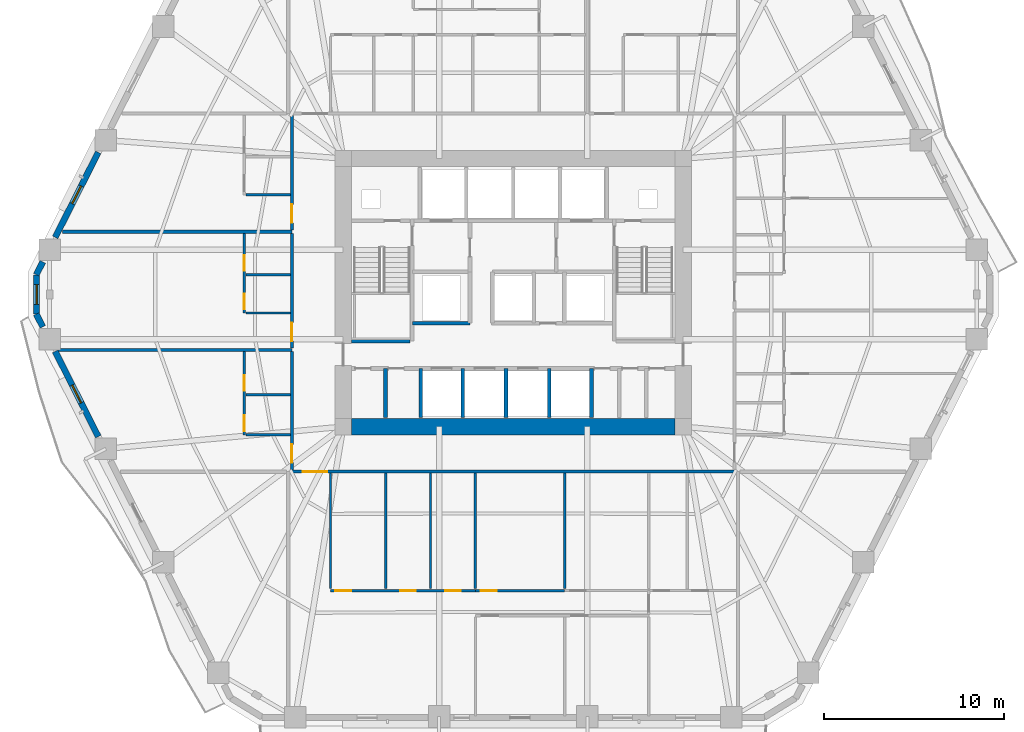
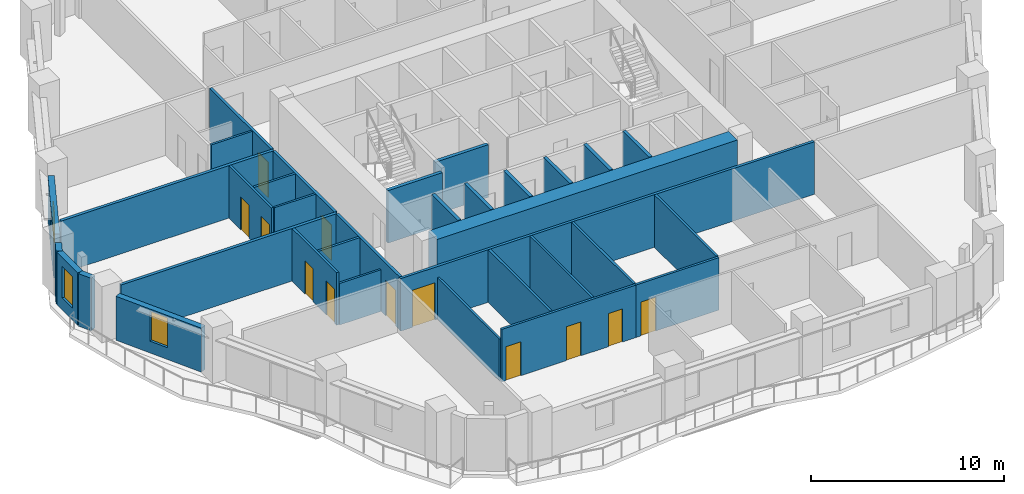
# One storey, part 4 of 14: 34 walls, 12 doors, 3 windows, 15 openings.
"""IFC4 building model written with IfcOpenShell, lengths in metres."""

import ifcopenshell
import ifcopenshell.guid

model = None  # the IFC model being written
_history = None  # IfcOwnerHistory: only IFC2X3 demands one
_inside = {}  # id of a spatial element -> (the spatial element, [elements in it])
_under = {}  # id of a project, library or spatial element -> (it, [spatial elements below it])
_declared = {}  # id of a project -> (the project, [libraries it declares])
_typed = {}  # id of a type object -> (the type object, [elements of that type])
_made_of = {}  # id of a material, layer set ... -> (it, [elements and type objects made of it])


def new_model(schema):
    """Start an empty IFC model of exactly this schema.

    Asked for "IFC4X3", IfcOpenShell would pick the latest addendum, in which some entities
    have other attributes; the version numbers below select the first issue.
    IFC2X3 requires an IfcOwnerHistory on every rooted entity: one is made here for all.
    """
    global model, _history
    if schema == "IFC4X3":
        model = ifcopenshell.file(schema_version=(4, 3, 0, 0))
    else:
        model = ifcopenshell.file(schema=schema)
    _inside.clear()
    _under.clear()
    _declared.clear()
    _typed.clear()
    _made_of.clear()
    _history = None
    if model.schema == "IFC2X3":
        org = make("IfcOrganization", Name="unknown")
        user = make(
            "IfcPersonAndOrganization",
            ThePerson=make("IfcPerson", FamilyName="unknown"),
            TheOrganization=org,
        )
        app = make(
            "IfcApplication",
            ApplicationDeveloper=org,
            Version="unknown",
            ApplicationFullName="unknown",
            ApplicationIdentifier="unknown",
        )
        _history = make(
            "IfcOwnerHistory",
            OwningUser=user,
            OwningApplication=app,
            ChangeAction="ADDED",
            CreationDate=0,
        )
    return model


def make(cls, **values):
    """One entity of the class cls with the attributes given. An attribute that is None is left unset."""
    return model.create_entity(
        cls, **{name: value for name, value in values.items() if value is not None}
    )


def rooted(cls, **values):
    """An entity with a GlobalId (a new one), such as an element, a storey or a relation."""
    return make(cls, GlobalId=ifcopenshell.guid.new(), OwnerHistory=_history, **values)


def si_unit(unit_type, name, prefix=None):
    """IfcSIUnit, for example si_unit("LENGTHUNIT", "METRE", prefix="MILLI")."""
    return make("IfcSIUnit", UnitType=unit_type, Prefix=prefix, Name=name)


def assignment(units):
    """IfcUnitAssignment: the units of a project."""
    return None if units is None else make("IfcUnitAssignment", Units=units)


def point(xyz):
    """IfcCartesianPoint."""
    return None if xyz is None else make("IfcCartesianPoint", Coordinates=xyz)


def direction(xyz):
    """IfcDirection."""
    return None if xyz is None else make("IfcDirection", DirectionRatios=xyz)


def frame(location, z_axis=None, x_axis=None):
    """IfcAxis2Placement3D, a coordinate frame: its origin and axes. An axis left out is left unset."""
    return make(
        "IfcAxis2Placement3D",
        Location=point(location),
        Axis=direction(z_axis),
        RefDirection=direction(x_axis),
    )


def frame_2d(location, x_axis=None):
    """IfcAxis2Placement2D, a coordinate frame in the plane: its origin and x axis."""
    return make(
        "IfcAxis2Placement2D", Location=point(location), RefDirection=direction(x_axis)
    )


def origin():
    """The frame at (0, 0, 0) with its axes left unset."""
    return frame((0.0, 0.0, 0.0))


def place(relative_to, where):
    """IfcLocalPlacement: puts the frame where relative to a parent placement (None: the world)."""
    return make(
        "IfcLocalPlacement", PlacementRelTo=relative_to, RelativePlacement=where
    )


def context(
    kind, dimensions, precision=None, world=None, true_north=None, identifier=None
):
    """IfcGeometricRepresentationContext, for example the 3D "Model" context."""
    return make(
        "IfcGeometricRepresentationContext",
        ContextIdentifier=identifier,
        ContextType=kind,
        CoordinateSpaceDimension=dimensions,
        Precision=precision,
        WorldCoordinateSystem=world,
        TrueNorth=true_north,
    )


def subcontext(parent, identifier, kind, view, scale=None):
    """IfcGeometricRepresentationSubContext, for example "Body" below "Model"."""
    return make(
        "IfcGeometricRepresentationSubContext",
        ContextIdentifier=identifier,
        ContextType=kind,
        ParentContext=parent,
        TargetScale=scale,
        TargetView=view,
    )


def project(units=None, contexts=None):
    """IfcProject with its units and contexts."""
    return rooted(
        "IfcProject",
        Name="project",
        RepresentationContexts=contexts,
        UnitsInContext=assignment(units),
    )


def spatial(cls, under=None, at=None, **own):
    """A site, building, storey or space (cls), placed at a placement, below another one or the project."""
    s = rooted(cls, ObjectPlacement=at, **own)
    if under is not None:
        _under.setdefault(under.id(), (under, []))[1].append(s)
    return s


def profile(cls, at=None, kind="AREA", **sizes):
    """A parametric profile (cls). Its sizes go by their IFC names, for example OverallWidth=200.0."""
    return make(cls, ProfileType=kind, Position=at, **sizes)


def rectangle(**sizes):
    """IfcRectangleProfileDef."""
    return profile("IfcRectangleProfileDef", **sizes)


def extrude(swept, where, along, depth):
    """IfcExtrudedAreaSolid: the profile swept, set in the frame where, extruded along a direction by depth."""
    return make(
        "IfcExtrudedAreaSolid",
        SweptArea=swept,
        Position=where,
        ExtrudedDirection=direction(along),
        Depth=depth,
    )


def shape(context_of_items, identifier, shape_type, items):
    """IfcShapeRepresentation: the items that make up one representation, for example the "Body"."""
    return make(
        "IfcShapeRepresentation",
        ContextOfItems=context_of_items,
        RepresentationIdentifier=identifier,
        RepresentationType=shape_type,
        Items=items,
    )


def material(Name=None, Category=None):
    """IfcMaterial."""
    return make("IfcMaterial", Name=Name, Category=Category)


def layer(
    of_material, thickness, ventilated=None, Name=None, Category=None, Priority=None
):
    """IfcMaterialLayer: one layer of a wall or slab, of a material (None: an air gap)."""
    return make(
        "IfcMaterialLayer",
        Material=of_material,
        LayerThickness=thickness,
        IsVentilated=ventilated,
        Name=Name,
        Category=Category,
        Priority=Priority,
    )


def layer_set(layers, Name=None):
    """IfcMaterialLayerSet."""
    return make("IfcMaterialLayerSet", MaterialLayers=layers, LayerSetName=Name)


def made_of(thing, what):
    """Note that an element or type object is made of a material, layer set ...; save() writes the relation."""
    if what is not None:
        _made_of.setdefault(what.id(), (what, []))[1].append(thing)
    return thing


def type_object(cls, material=None, **own):
    """A type object (cls), such as IfcWallType, which elements share."""
    return made_of(rooted(cls, **own), material)


def element(
    cls,
    number,
    at=None,
    inside=None,
    cuts=None,
    type_object=None,
    material=None,
    context=None,
    identifier="Body",
    shape_type=None,
    held_by="IfcProductDefinitionShape",
    body=None,
    shapes=None,
    **own,
):
    """One element of the class cls, such as IfcWall. Its Tag is "e" and its number.

    at: its placement. inside: the storey or other place that contains it. cuts: it is an
    opening in that element (IfcRelVoidsElement). A single representation is given by context,
    identifier, shape_type and body (its items); several are given by shapes. held_by: the class
    of the entity that holds the representations. save() writes the other relations.
    """
    e = rooted(cls, Tag="e%d" % number, ObjectPlacement=at, **own)
    if body is not None:
        shapes = [shape(context, identifier, shape_type, body)]
    if shapes is not None:
        e.Representation = make(held_by, Representations=shapes)
    if inside is not None:
        _inside.setdefault(inside.id(), (inside, []))[1].append(e)
    if cuts is not None:
        rooted(
            "IfcRelVoidsElement", RelatingBuildingElement=cuts, RelatedOpeningElement=e
        )
    if type_object is not None:
        _typed.setdefault(type_object.id(), (type_object, []))[1].append(e)
    return made_of(e, material)


def fill(opening, filler):
    """IfcRelFillsElement: the door or window that sits in an opening."""
    return rooted(
        "IfcRelFillsElement",
        RelatingOpeningElement=opening,
        RelatedBuildingElement=filler,
    )


def aggregate(whole, parts):
    """IfcRelAggregates: a whole, such as a stair, and the parts it consists of."""
    return rooted("IfcRelAggregates", RelatingObject=whole, RelatedObjects=parts)


def save(model, path):
    """Write the relations noted so far, then the file.

    IfcRelAggregates (storeys below a building ...), IfcRelContainedInSpatialStructure (elements
    in a storey), IfcRelDefinesByType, IfcRelAssociatesMaterial and IfcRelDeclares: one each for
    every whole, place, type object, material and project.
    """
    for whole, parts in _under.values():
        aggregate(whole, parts)
    for where, things in _inside.values():
        rooted(
            "IfcRelContainedInSpatialStructure",
            RelatedElements=things,
            RelatingStructure=where,
        )
    for kind, things in _typed.values():
        rooted("IfcRelDefinesByType", RelatedObjects=things, RelatingType=kind)
    for what, things in _made_of.values():
        rooted("IfcRelAssociatesMaterial", RelatedObjects=things, RelatingMaterial=what)
    for by, libraries in _declared.values():
        rooted("IfcRelDeclares", RelatingContext=by, RelatedDefinitions=libraries)
    model.write(path)


model = new_model("IFC4")

# Units and contexts
model_context = context("Model", 3, precision=1e-05, world=origin(), true_north=direction((0.0, 1.0)))
body_context = subcontext(model_context, "Body", "Model", "MODEL_VIEW")
ifc_project = project(units=[si_unit("LENGTHUNIT", "METRE"), si_unit("AREAUNIT", "SQUARE_METRE"), si_unit("VOLUMEUNIT", "CUBIC_METRE"), si_unit("PLANEANGLEUNIT", "RADIAN"), si_unit("MASSUNIT", "GRAM", prefix="KILO")], contexts=[model_context])

# Site, building, storey
site_placement = place(None, origin())
site = spatial("IfcSite", under=ifc_project, at=site_placement, CompositionType="ELEMENT")
building_placement = place(site_placement, origin())
building = spatial("IfcBuilding", under=site, at=building_placement, Name="Cinnabar Lancet Tower", CompositionType="ELEMENT")
storey_placement = place(building_placement, frame((0.0, 0.0, 67.5)))
storey = spatial("IfcBuildingStorey", under=building, at=storey_placement, Name="L17", CompositionType="ELEMENT", Elevation=67.5)

# Wall, opening, door
ifc_material_1 = material(Name="Acoustic twin-stud gypsum partition", Category="gypsum")
ifc_layer_1 = layer(ifc_material_1, 0.159912109375)
ifc_layer_set_1 = layer_set([ifc_layer_1], Name="Acoustic twin-stud gypsum partition")
wall_type_1 = type_object("IfcWallType", Name="ARC-WL-CORR-160", PredefinedType="PARTITIONING", material=ifc_layer_set_1)
wall_1_placement = place(storey_placement, frame((19.9951171875, 15.949951171875, 0.0), z_axis=(0.0, 0.0, 1.0), x_axis=(1.0, 0.0, 0.0)))
wall_1 = element("IfcWall", 1, at=wall_1_placement, inside=storey, type_object=wall_type_1, Name="L17 Unit S01 Corridor Wall", PredefinedType="PARTITIONING", context=body_context, shape_type="SweptSolid", body=[
    extrude(rectangle(XDim=24.809814453125, YDim=0.159912109375, at=frame_2d((12.40478515625, 0.0))), origin(), (0.0, 0.0, 1.0), 3.330078125),
])
opening_1_placement = place(wall_1_placement, frame((0.705078125, 0.0, 0.0)))
opening_1 = element("IfcOpeningElement", 2, at=opening_1_placement, cuts=wall_1, Name="Opening UD-02", PredefinedType="OPENING", context=body_context, shape_type="SweptSolid", body=[
    extrude(rectangle(XDim=1.35009765625, YDim=2.35009765625, at=frame_2d((0.675048828125, 1.175048828125))), frame((0.0, 0.08984375, 0.0), z_axis=(0.0, -1.0, 0.0), x_axis=(1.0, 0.0, 0.0)), (0.0, 0.0, 1.0), 0.179931640625),
])
ifc_material_2 = material(Name="Double-leaf solid timber penthouse entrance door", Category="wood")
door_type_1 = type_object("IfcDoorType", Name="ARC-DR-UNIT-PH", OperationType="NOTDEFINED", PredefinedType="DOOR", material=ifc_material_2)
door_1_placement = place(opening_1_placement, origin())
door_1 = element("IfcDoor", 3, at=door_1_placement, inside=storey, type_object=door_type_1, Name="DR-L17-S01-ENT", OperationType="SINGLE_SWING_LEFT", OverallHeight=2.35009765625, OverallWidth=1.35009765625, PredefinedType="DOOR", context=body_context, shape_type="SweptSolid", body=[
    extrude(rectangle(XDim=1.35009765625, YDim=2.35009765625, at=frame_2d((0.675048828125, 1.175048828125))), frame((0.0, 0.02490234375, 0.0), z_axis=(0.0, -1.0, 0.0), x_axis=(1.0, 0.0, 0.0)), (0.0, 0.0, 1.0), 0.050048828125),
])
fill(opening_1, door_1)

wall_2_placement = place(storey_placement, frame((20.10009765625, 16.044921875, 0.0), z_axis=(0.0, 0.0, 1.0), x_axis=(0.0, 1.0, 0.0)))
wall_2 = element("IfcWall", 4, at=wall_2_placement, inside=storey, type_object=wall_type_1, Name="UW-L17-W01-COR", PredefinedType="PARTITIONING", context=body_context, shape_type="SweptSolid", body=[
    extrude(rectangle(XDim=6.576171875, YDim=0.159912109375, at=frame_2d((3.2880859375, 0.0))), origin(), (0.0, 0.0, 1.0), 3.330078125),
])
opening_2_placement = place(wall_2_placement, frame((0.39990234375, 0.0, 0.0)))
opening_2 = element("IfcOpeningElement", 5, at=opening_2_placement, cuts=wall_2, Name="Opening UD-01", PredefinedType="OPENING", context=body_context, shape_type="SweptSolid", body=[
    extrude(rectangle(XDim=1.02001953125, YDim=2.25, at=frame_2d((0.510009765625, 1.125))), frame((0.0, 0.08984375, 0.0), z_axis=(0.0, -1.0, 0.0), x_axis=(1.0, 0.0, 0.0)), (0.0, 0.0, 1.0), 0.179931640625),
])
ifc_material_3 = material(Name="Solid timber fire-rated apartment entrance door", Category="wood")
door_type_2 = type_object("IfcDoorType", Name="ARC-DR-UNIT", OperationType="NOTDEFINED", PredefinedType="DOOR", material=ifc_material_3)
door_2_placement = place(opening_2_placement, origin())
door_2 = element("IfcDoor", 6, at=door_2_placement, inside=storey, type_object=door_type_2, Name="DR-L17-W01-ENT", OperationType="SINGLE_SWING_LEFT", OverallHeight=2.25, OverallWidth=1.02001953125, PredefinedType="DOOR", context=body_context, shape_type="SweptSolid", body=[
    extrude(rectangle(XDim=1.02001953125, YDim=2.25, at=frame_2d((0.510009765625, 1.125))), frame((0.0, 0.02490234375, 0.0), z_axis=(0.0, -1.0, 0.0), x_axis=(1.0, 0.0, 0.0)), (0.0, 0.0, 1.0), 0.050048828125),
])
fill(opening_2, door_2)

wall_3_placement = place(storey_placement, frame((20.10009765625, 22.81103515625, 0.0), z_axis=(0.0, 0.0, 1.0), x_axis=(0.0, 1.0, 0.0)))
wall_3 = element("IfcWall", 7, at=wall_3_placement, inside=storey, type_object=wall_type_1, Name="UW-L17-W02-COR", PredefinedType="PARTITIONING", context=body_context, shape_type="SweptSolid", body=[
    extrude(rectangle(XDim=6.376953125, YDim=0.159912109375, at=frame_2d((3.1884765625, 0.0))), origin(), (0.0, 0.0, 1.0), 3.330078125),
])
opening_3_placement = place(wall_3_placement, frame((0.39990234375, 0.0, 0.0)))
opening_3 = element("IfcOpeningElement", 8, at=opening_3_placement, cuts=wall_3, Name="Opening UD-01", PredefinedType="OPENING", context=body_context, shape_type="SweptSolid", body=[
    extrude(rectangle(XDim=1.02001953125, YDim=2.25, at=frame_2d((0.510009765625, 1.125))), frame((0.0, 0.08984375, 0.0), z_axis=(0.0, -1.0, 0.0), x_axis=(1.0, 0.0, 0.0)), (0.0, 0.0, 1.0), 0.179931640625),
])
door_3_placement = place(opening_3_placement, origin())
door_3 = element("IfcDoor", 9, at=door_3_placement, inside=storey, type_object=door_type_2, Name="DR-L17-W02-ENT", OperationType="SINGLE_SWING_RIGHT", OverallHeight=2.25, OverallWidth=1.02001953125, PredefinedType="DOOR", context=body_context, shape_type="SweptSolid", body=[
    extrude(rectangle(XDim=1.02001953125, YDim=2.25, at=frame_2d((0.510009765625, 1.125))), frame((0.0, 0.02490234375, 0.0), z_axis=(0.0, -1.0, 0.0), x_axis=(1.0, 0.0, 0.0)), (0.0, 0.0, 1.0), 0.050048828125),
])
fill(opening_3, door_3)

wall_4_placement = place(storey_placement, frame((20.10009765625, 29.3779296875, 0.0), z_axis=(0.0, 0.0, 1.0), x_axis=(0.0, 1.0, 0.0)))
wall_4 = element("IfcWall", 10, at=wall_4_placement, inside=storey, type_object=wall_type_1, Name="UW-L17-W03-COR", PredefinedType="PARTITIONING", context=body_context, shape_type="SweptSolid", body=[
    extrude(rectangle(XDim=6.376953125, YDim=0.159912109375, at=frame_2d((3.1884765625, 0.0))), origin(), (0.0, 0.0, 1.0), 3.330078125),
])
opening_4_placement = place(wall_4_placement, frame((0.39990234375, 0.0, 0.0)))
opening_4 = element("IfcOpeningElement", 11, at=opening_4_placement, cuts=wall_4, Name="Opening UD-01", PredefinedType="OPENING", context=body_context, shape_type="SweptSolid", body=[
    extrude(rectangle(XDim=1.02001953125, YDim=2.25, at=frame_2d((0.510009765625, 1.125))), frame((0.0, 0.08984375, 0.0), z_axis=(0.0, -1.0, 0.0), x_axis=(1.0, 0.0, 0.0)), (0.0, 0.0, 1.0), 0.179931640625),
])
door_4_placement = place(opening_4_placement, origin())
door_4 = element("IfcDoor", 12, at=door_4_placement, inside=storey, type_object=door_type_2, Name="DR-L17-W03-ENT", OperationType="SINGLE_SWING_LEFT", OverallHeight=2.25, OverallWidth=1.02001953125, PredefinedType="DOOR", context=body_context, shape_type="SweptSolid", body=[
    extrude(rectangle(XDim=1.02001953125, YDim=2.25, at=frame_2d((0.510009765625, 1.125))), frame((0.0, 0.02490234375, 0.0), z_axis=(0.0, -1.0, 0.0), x_axis=(1.0, 0.0, 0.0)), (0.0, 0.0, 1.0), 0.050048828125),
])
fill(opening_4, door_4)

# Walls
ifc_material_4 = material(Name="Fire-rated twin-frame acoustic drywall", Category="gypsum")
ifc_layer_2 = layer(ifc_material_4, 0.179931640625)
ifc_layer_set_2 = layer_set([ifc_layer_2], Name="Fire-rated twin-frame acoustic drywall")
wall_type_2 = type_object("IfcWallType", Name="ARC-WL-PARTY-180", PredefinedType="PARTITIONING", material=ifc_layer_set_2)
wall_5_placement = place(storey_placement, frame((7.139892578125, 22.716064453125, 0.0), z_axis=(0.0, 0.0, 1.0), x_axis=(1.0, 0.0, 0.0)))
element("IfcWall", 13, at=wall_5_placement, inside=storey, type_object=wall_type_2, Name="PW-L17-WPTY-1", PredefinedType="PARTITIONING", context=body_context, shape_type="SweptSolid", body=[
    extrude(rectangle(XDim=12.960205078125, YDim=0.179931640625, at=frame_2d((6.47998046875, 0.0))), origin(), (0.0, 0.0, 1.0), 3.330078125),
])
wall_6_placement = place(storey_placement, frame((7.342041015625, 29.282958984375, 0.0), z_axis=(0.0, 0.0, 1.0), x_axis=(1.0, 0.0, 0.0)))
element("IfcWall", 14, at=wall_6_placement, inside=storey, type_object=wall_type_2, Name="PW-L17-WPTY-2", PredefinedType="PARTITIONING", context=body_context, shape_type="SweptSolid", body=[
    extrude(rectangle(XDim=12.758056640625, YDim=0.179931640625, at=frame_2d((6.37890625, 0.0))), origin(), (0.0, 0.0, 1.0), 3.330078125),
])
ifc_material_5 = material(Name="Autoclaved aerated concrete blockwork", Category="masonry")
ifc_layer_3 = layer(ifc_material_5, 0.199951171875)
ifc_layer_set_3 = layer_set([ifc_layer_3], Name="Autoclaved aerated concrete blockwork")
wall_type_3 = type_object("IfcWallType", Name="ARC-WL-SHAFT-200", PredefinedType="PLUMBINGWALL", material=ifc_layer_set_3)
wall_7_placement = place(storey_placement, frame((23.405029296875, 23.199951171875, 0.0), z_axis=(0.0, 0.0, 1.0), x_axis=(1.0, 0.0, 0.0)))
element("IfcWall", 15, at=wall_7_placement, inside=storey, type_object=wall_type_3, Name="CW-ST1S-L17", PredefinedType="PLUMBINGWALL", context=body_context, shape_type="SweptSolid", body=[
    extrude(rectangle(XDim=3.27001953125, YDim=0.199951171875, at=frame_2d((1.635009765625, 0.0))), origin(), (0.0, 0.0, 1.0), 3.330078125),
])
wall_8_placement = place(storey_placement, frame((26.800048828125, 24.199951171875, 0.0), z_axis=(0.0, 0.0, 1.0), x_axis=(1.0, 0.0, 0.0)))
element("IfcWall", 16, at=wall_8_placement, inside=storey, type_object=wall_type_3, Name="CW-PL5S-L17", PredefinedType="PLUMBINGWALL", context=body_context, shape_type="SweptSolid", body=[
    extrude(rectangle(XDim=3.199951171875, YDim=0.199951171875, at=frame_2d((1.60009765625, 0.0))), origin(), (0.0, 0.0, 1.0), 3.330078125),
])
for number, where, z_axis, x_axis, name in (
    (17, (27.25, 18.949951171875, 0.0), (0.0, 0.0, 1.0), (0.0, 1.0, 0.0), "CW-SB-2725-L17"),
    (18, (29.60009765625, 18.949951171875, 0.0), (0.0, 0.0, 1.0), (0.0, 1.0, 0.0), "CW-SB-2960-L17"),
    (19, (32.0, 18.949951171875, 0.0), (0.0, 0.0, 1.0), (0.0, 1.0, 0.0), "CW-SB-3200-L17"),
    (20, (34.39990234375, 18.949951171875, 0.0), (0.0, 0.0, 1.0), (0.0, 1.0, 0.0), "CW-SB-3440-L17"),
    (21, (36.75, 18.949951171875, 0.0), (0.0, 0.0, 1.0), (0.0, 1.0, 0.0), "CW-SB-3675-L17"),
    (22, (25.300048828125, 18.949951171875, 0.0), (0.0, 0.0, 1.0), (0.0, 1.0, 0.0), "CW-SBC2-253-L17"),
):
    element("IfcWall", number, at=place(storey_placement, frame(where, z_axis=z_axis, x_axis=x_axis)), inside=storey, type_object=wall_type_3, Name=name, PredefinedType="PLUMBINGWALL", context=body_context, shape_type="SweptSolid", body=[
        extrude(rectangle(XDim=2.72998046875, YDim=0.199951171875, at=frame_2d((1.364990234375, 0.0))), origin(), (0.0, 0.0, 1.0), 3.330078125),
    ])
ifc_material_6 = material(Name="Gypsum plasterboard stud partition", Category="gypsum")
ifc_layer_4 = layer(ifc_material_6, 0.125)
ifc_layer_set_4 = layer_set([ifc_layer_4], Name="Gypsum plasterboard stud partition")
wall_type_4 = type_object("IfcWallType", Name="ARC-WL-UNIT-125", PredefinedType="PARTITIONING", material=ifc_layer_set_4)
wall_9_placement = place(storey_placement, frame((22.25, 9.44189453125, 0.0), z_axis=(0.0, 0.0, 1.0), x_axis=(0.0, 1.0, 0.0)))
element("IfcWall", 23, at=wall_9_placement, inside=storey, type_object=wall_type_4, Name="UW-L17-S01-FOYE", PredefinedType="PARTITIONING", context=body_context, shape_type="SweptSolid", body=[
    extrude(rectangle(XDim=6.423095703125, YDim=0.125, at=frame_2d((3.21142578125, 0.0))), origin(), (0.0, 0.0, 1.0), 2.635986328125),
])
wall_10_placement = place(storey_placement, frame((27.802001953125, 9.44189453125, 0.0), z_axis=(0.0, 0.0, 1.0), x_axis=(0.0, 1.0, 0.0)))
element("IfcWall", 24, at=wall_10_placement, inside=storey, type_object=wall_type_4, Name="UW-L17-S01-STD", PredefinedType="PARTITIONING", context=body_context, shape_type="SweptSolid", body=[
    extrude(rectangle(XDim=6.423095703125, YDim=0.125, at=frame_2d((3.21142578125, 0.0))), origin(), (0.0, 0.0, 1.0), 3.330078125),
])
wall_11_placement = place(storey_placement, frame((17.534912109375, 18.0, 0.0), z_axis=(0.0, 0.0, 1.0), x_axis=(1.0, 0.0, 0.0)))
element("IfcWall", 25, at=wall_11_placement, inside=storey, type_object=wall_type_4, Name="UW-L17-W01-FOYN", PredefinedType="PARTITIONING", context=body_context, shape_type="SweptSolid", body=[
    extrude(rectangle(XDim=2.47998046875, YDim=0.125, at=frame_2d((1.239990234375, 0.0))), origin(), (0.0, 0.0, 1.0), 2.635986328125),
])
for number, where, z_axis, x_axis, name in (
    (26, (17.534912109375, 24.76611328125, 0.0), (0.0, 0.0, 1.0), (1.0, 0.0, 0.0), "UW-L17-W02-FOYN"),
    (27, (17.534912109375, 31.3330078125, 0.0), (0.0, 0.0, 1.0), (1.0, 0.0, 0.0), "UW-L17-W03-FOYN"),
):
    element("IfcWall", number, at=place(storey_placement, frame(where, z_axis=z_axis, x_axis=x_axis)), inside=storey, type_object=wall_type_4, Name=name, PredefinedType="PARTITIONING", context=body_context, shape_type="SweptSolid", body=[
        extrude(rectangle(XDim=2.47998046875, YDim=0.125, at=frame_2d((1.239990234375, 0.0))), origin(), (0.0, 0.0, 1.0), 3.330078125),
    ])

# Wall, openings, doors
ifc_material_7 = material(Name="Moisture-resistant cement-board plumbing wall", Category="masonry")
ifc_layer_5 = layer(ifc_material_7, 0.139892578125)
ifc_layer_set_5 = layer_set([ifc_layer_5], Name="Moisture-resistant cement-board plumbing wall")
wall_type_5 = type_object("IfcWallType", Name="ARC-WL-WET-140", PredefinedType="PLUMBINGWALL", material=ifc_layer_set_5)
wall_12_placement = place(storey_placement, frame((22.25, 9.3369140625, 0.0), z_axis=(0.0, 0.0, 1.0), x_axis=(1.0, 0.0, 0.0)))
wall_12 = element("IfcWall", 28, at=wall_12_placement, inside=storey, type_object=wall_type_5, Name="UW-L17-S01-SPL", PredefinedType="PLUMBINGWALL", context=body_context, shape_type="SweptSolid", body=[
    extrude(rectangle(XDim=8.047119140625, YDim=0.139892578125, at=frame_2d((4.0234375, 0.0))), origin(), (0.0, 0.0, 1.0), 3.330078125),
])
opening_5_placement = place(wall_12_placement, frame((6.375, 0.0, 0.0)))
opening_5 = element("IfcOpeningElement", 29, at=opening_5_placement, cuts=wall_12, Name="Opening BD-01", PredefinedType="OPENING", context=body_context, shape_type="SweptSolid", body=[
    extrude(rectangle(XDim=0.860107421875, YDim=2.10009765625, at=frame_2d((0.43017578125, 1.050048828125))), frame((0.0, 0.079833984375, 0.0), z_axis=(0.0, -1.0, 0.0), x_axis=(1.0, 0.0, 0.0)), (0.0, 0.0, 1.0), 0.159912109375),
])
opening_6_placement = place(wall_12_placement, frame((0.260009765625, 0.0, 0.0)))
opening_6 = element("IfcOpeningElement", 30, at=opening_6_placement, cuts=wall_12, Name="Opening RD-02", PredefinedType="OPENING", context=body_context, shape_type="SweptSolid", body=[
    extrude(rectangle(XDim=0.8798828125, YDim=2.14990234375, at=frame_2d((0.43994140625, 1.074951171875))), frame((0.0, 0.079833984375, 0.0), z_axis=(0.0, -1.0, 0.0), x_axis=(1.0, 0.0, 0.0)), (0.0, 0.0, 1.0), 0.159912109375),
])
opening_7_placement = place(wall_12_placement, frame((3.864990234375, 0.0, 0.0)))
opening_7 = element("IfcOpeningElement", 31, at=opening_7_placement, cuts=wall_12, Name="Opening RD-02", PredefinedType="OPENING", context=body_context, shape_type="SweptSolid", body=[
    extrude(rectangle(XDim=0.8798828125, YDim=2.14990234375, at=frame_2d((0.43994140625, 1.074951171875))), frame((0.0, 0.079833984375, 0.0), z_axis=(0.0, -1.0, 0.0), x_axis=(1.0, 0.0, 0.0)), (0.0, 0.0, 1.0), 0.159912109375),
])
ifc_material_8 = material(Name="Moisture-resistant timber bathroom door", Category="wood")
door_type_3 = type_object("IfcDoorType", Name="ARC-DR-BATH", OperationType="NOTDEFINED", PredefinedType="DOOR", material=ifc_material_8)
door_5_placement = place(opening_5_placement, origin())
door_5 = element("IfcDoor", 32, at=door_5_placement, inside=storey, type_object=door_type_3, Name="DR-L17-S01-BTH", OperationType="SINGLE_SWING_RIGHT", OverallHeight=2.10009765625, OverallWidth=0.860107421875, PredefinedType="DOOR", context=body_context, shape_type="SweptSolid", body=[
    extrude(rectangle(XDim=0.860107421875, YDim=2.10009765625, at=frame_2d((0.43017578125, 1.050048828125))), frame((0.0, 0.02490234375, 0.0), z_axis=(0.0, -1.0, 0.0), x_axis=(1.0, 0.0, 0.0)), (0.0, 0.0, 1.0), 0.050048828125),
])
fill(opening_5, door_5)
ifc_material_9 = material(Name="Engineered timber study door", Category="wood")
door_type_4 = type_object("IfcDoorType", Name="ARC-DR-STUDY", OperationType="NOTDEFINED", PredefinedType="DOOR", material=ifc_material_9)
door_6_placement = place(opening_6_placement, origin())
door_6 = element("IfcDoor", 33, at=door_6_placement, inside=storey, type_object=door_type_4, Name="DR-L17-S01-KIT", OperationType="SINGLE_SWING_RIGHT", OverallHeight=2.14990234375, OverallWidth=0.8798828125, PredefinedType="DOOR", context=body_context, shape_type="SweptSolid", body=[
    extrude(rectangle(XDim=0.8798828125, YDim=2.14990234375, at=frame_2d((0.43994140625, 1.074951171875))), frame((0.0, 0.02490234375, 0.0), z_axis=(0.0, -1.0, 0.0), x_axis=(1.0, 0.0, 0.0)), (0.0, 0.0, 1.0), 0.050048828125),
])
fill(opening_6, door_6)
door_7_placement = place(opening_7_placement, origin())
door_7 = element("IfcDoor", 34, at=door_7_placement, inside=storey, type_object=door_type_4, Name="DR-L17-S01-STD", OperationType="SINGLE_SWING_LEFT", OverallHeight=2.14990234375, OverallWidth=0.8798828125, PredefinedType="DOOR", context=body_context, shape_type="SweptSolid", body=[
    extrude(rectangle(XDim=0.8798828125, YDim=2.14990234375, at=frame_2d((0.43994140625, 1.074951171875))), frame((0.0, 0.02490234375, 0.0), z_axis=(0.0, -1.0, 0.0), x_axis=(1.0, 0.0, 0.0)), (0.0, 0.0, 1.0), 0.050048828125),
])
fill(opening_7, door_7)

# Wall, opening, door
wall_13_placement = place(storey_placement, frame((30.297119140625, 9.3369140625, 0.0), z_axis=(0.0, 0.0, 1.0), x_axis=(1.0, 0.0, 0.0)))
wall_13 = element("IfcWall", 35, at=wall_13_placement, inside=storey, type_object=wall_type_5, Name="UW-L17-S01-SPM", PredefinedType="PLUMBINGWALL", context=body_context, shape_type="SweptSolid", body=[
    extrude(rectangle(XDim=4.96484375, YDim=0.139892578125, at=frame_2d((2.482421875, 0.0))), origin(), (0.0, 0.0, 1.0), 3.330078125),
])
opening_8_placement = place(wall_13_placement, frame((0.300048828125, 0.0, 0.0)))
opening_8 = element("IfcOpeningElement", 36, at=opening_8_placement, cuts=wall_13, Name="Opening RD-02", PredefinedType="OPENING", context=body_context, shape_type="SweptSolid", body=[
    extrude(rectangle(XDim=0.8798828125, YDim=2.14990234375, at=frame_2d((0.43994140625, 1.074951171875))), frame((0.0, 0.079833984375, 0.0), z_axis=(0.0, -1.0, 0.0), x_axis=(1.0, 0.0, 0.0)), (0.0, 0.0, 1.0), 0.159912109375),
])
door_8_placement = place(opening_8_placement, origin())
door_8 = element("IfcDoor", 37, at=door_8_placement, inside=storey, type_object=door_type_4, Name="DR-L17-S01-UTL", OperationType="SINGLE_SWING_LEFT", OverallHeight=2.14990234375, OverallWidth=0.8798828125, PredefinedType="DOOR", context=body_context, shape_type="SweptSolid", body=[
    extrude(rectangle(XDim=0.8798828125, YDim=2.14990234375, at=frame_2d((0.43994140625, 1.074951171875))), frame((0.0, 0.02490234375, 0.0), z_axis=(0.0, -1.0, 0.0), x_axis=(1.0, 0.0, 0.0)), (0.0, 0.0, 1.0), 0.050048828125),
])
fill(opening_8, door_8)

# Walls
for number, where, z_axis, x_axis, name in (
    (38, (25.30810546875, 9.44189453125, 0.0), (0.0, 0.0, 1.0), (0.0, 1.0, 0.0), "UW-L17-S01-KDV"),
    (39, (30.297119140625, 9.44189453125, 0.0), (0.0, 0.0, 1.0), (0.0, 1.0, 0.0), "UW-L17-S01-ENSW"),
    (40, (35.261962890625, 9.44189453125, 0.0), (0.0, 0.0, 1.0), (0.0, 1.0, 0.0), "UW-L17-S01-ENSE"),
):
    element("IfcWall", number, at=place(storey_placement, frame(where, z_axis=z_axis, x_axis=x_axis)), inside=storey, type_object=wall_type_5, Name=name, PredefinedType="PLUMBINGWALL", context=body_context, shape_type="SweptSolid", body=[
        extrude(rectangle(XDim=6.423095703125, YDim=0.139892578125, at=frame_2d((3.21142578125, 0.0))), origin(), (0.0, 0.0, 1.0), 3.330078125),
    ])

# Wall, openings, doors
wall_14_placement = place(storey_placement, frame((17.449951171875, 18.0, 0.0), z_axis=(0.0, 0.0, 1.0), x_axis=(0.0, 1.0, 0.0)))
wall_14 = element("IfcWall", 41, at=wall_14_placement, inside=storey, type_object=wall_type_5, Name="UW-L17-W01-SPL", PredefinedType="PLUMBINGWALL", context=body_context, shape_type="SweptSolid", body=[
    extrude(rectangle(XDim=4.62109375, YDim=0.139892578125, at=frame_2d((2.310546875, 0.0))), origin(), (0.0, 0.0, 1.0), 3.330078125),
])
opening_9_placement = place(wall_14_placement, frame((2.43798828125, 0.0, 0.0)))
opening_9 = element("IfcOpeningElement", 42, at=opening_9_placement, cuts=wall_14, Name="Opening BD-01", PredefinedType="OPENING", context=body_context, shape_type="SweptSolid", body=[
    extrude(rectangle(XDim=0.860107421875, YDim=2.10009765625, at=frame_2d((0.43017578125, 1.050048828125))), frame((0.0, 0.079833984375, 0.0), z_axis=(0.0, -1.0, 0.0), x_axis=(1.0, 0.0, 0.0)), (0.0, 0.0, 1.0), 0.159912109375),
])
opening_10_placement = place(wall_14_placement, frame((0.199951171875, 0.0, 0.0)))
opening_10 = element("IfcOpeningElement", 43, at=opening_10_placement, cuts=wall_14, Name="Opening RD-02", PredefinedType="OPENING", context=body_context, shape_type="SweptSolid", body=[
    extrude(rectangle(XDim=0.8798828125, YDim=2.14990234375, at=frame_2d((0.43994140625, 1.074951171875))), frame((0.0, 0.079833984375, 0.0), z_axis=(0.0, -1.0, 0.0), x_axis=(1.0, 0.0, 0.0)), (0.0, 0.0, 1.0), 0.159912109375),
])
door_9_placement = place(opening_9_placement, origin())
door_9 = element("IfcDoor", 44, at=door_9_placement, inside=storey, type_object=door_type_3, Name="DR-L17-W01-BTH", OperationType="SINGLE_SWING_LEFT", OverallHeight=2.10009765625, OverallWidth=0.860107421875, PredefinedType="DOOR", context=body_context, shape_type="SweptSolid", body=[
    extrude(rectangle(XDim=0.860107421875, YDim=2.10009765625, at=frame_2d((0.43017578125, 1.050048828125))), frame((0.0, 0.02490234375, 0.0), z_axis=(0.0, -1.0, 0.0), x_axis=(1.0, 0.0, 0.0)), (0.0, 0.0, 1.0), 0.050048828125),
])
fill(opening_9, door_9)
door_10_placement = place(opening_10_placement, origin())
door_10 = element("IfcDoor", 45, at=door_10_placement, inside=storey, type_object=door_type_4, Name="DR-L17-W01-KIT", OperationType="SINGLE_SWING_RIGHT", OverallHeight=2.14990234375, OverallWidth=0.8798828125, PredefinedType="DOOR", context=body_context, shape_type="SweptSolid", body=[
    extrude(rectangle(XDim=0.8798828125, YDim=2.14990234375, at=frame_2d((0.43994140625, 1.074951171875))), frame((0.0, 0.02490234375, 0.0), z_axis=(0.0, -1.0, 0.0), x_axis=(1.0, 0.0, 0.0)), (0.0, 0.0, 1.0), 0.050048828125),
])
fill(opening_10, door_10)

# Wall
wall_15_placement = place(storey_placement, frame((17.534912109375, 20.218017578125, 0.0), z_axis=(0.0, 0.0, 1.0), x_axis=(1.0, 0.0, 0.0)))
element("IfcWall", 46, at=wall_15_placement, inside=storey, type_object=wall_type_5, Name="UW-L17-W01-KDV", PredefinedType="PLUMBINGWALL", context=body_context, shape_type="SweptSolid", body=[
    extrude(rectangle(XDim=2.47998046875, YDim=0.139892578125, at=frame_2d((1.239990234375, 0.0))), origin(), (0.0, 0.0, 1.0), 3.330078125),
])

# Wall, openings, doors
wall_16_placement = place(storey_placement, frame((17.449951171875, 24.76611328125, 0.0), z_axis=(0.0, 0.0, 1.0), x_axis=(0.0, 1.0, 0.0)))
wall_16 = element("IfcWall", 47, at=wall_16_placement, inside=storey, type_object=wall_type_5, Name="UW-L17-W02-SPL", PredefinedType="PLUMBINGWALL", context=body_context, shape_type="SweptSolid", body=[
    extrude(rectangle(XDim=4.421875, YDim=0.139892578125, at=frame_2d((2.2109375, 0.0))), origin(), (0.0, 0.0, 1.0), 3.330078125),
])
opening_11_placement = place(wall_16_placement, frame((2.343017578125, 0.0, 0.0)))
opening_11 = element("IfcOpeningElement", 48, at=opening_11_placement, cuts=wall_16, Name="Opening BD-01", PredefinedType="OPENING", context=body_context, shape_type="SweptSolid", body=[
    extrude(rectangle(XDim=0.860107421875, YDim=2.10009765625, at=frame_2d((0.43017578125, 1.050048828125))), frame((0.0, 0.079833984375, 0.0), z_axis=(0.0, -1.0, 0.0), x_axis=(1.0, 0.0, 0.0)), (0.0, 0.0, 1.0), 0.159912109375),
])
opening_12_placement = place(wall_16_placement, frame((0.199951171875, 0.0, 0.0)))
opening_12 = element("IfcOpeningElement", 49, at=opening_12_placement, cuts=wall_16, Name="Opening RD-02", PredefinedType="OPENING", context=body_context, shape_type="SweptSolid", body=[
    extrude(rectangle(XDim=0.8798828125, YDim=2.14990234375, at=frame_2d((0.43994140625, 1.074951171875))), frame((0.0, 0.079833984375, 0.0), z_axis=(0.0, -1.0, 0.0), x_axis=(1.0, 0.0, 0.0)), (0.0, 0.0, 1.0), 0.159912109375),
])
door_11_placement = place(opening_11_placement, origin())
door_11 = element("IfcDoor", 50, at=door_11_placement, inside=storey, type_object=door_type_3, Name="DR-L17-W02-BTH", OperationType="SINGLE_SWING_RIGHT", OverallHeight=2.10009765625, OverallWidth=0.860107421875, PredefinedType="DOOR", context=body_context, shape_type="SweptSolid", body=[
    extrude(rectangle(XDim=0.860107421875, YDim=2.10009765625, at=frame_2d((0.43017578125, 1.050048828125))), frame((0.0, 0.02490234375, 0.0), z_axis=(0.0, -1.0, 0.0), x_axis=(1.0, 0.0, 0.0)), (0.0, 0.0, 1.0), 0.050048828125),
])
fill(opening_11, door_11)
door_12_placement = place(opening_12_placement, origin())
door_12 = element("IfcDoor", 51, at=door_12_placement, inside=storey, type_object=door_type_4, Name="DR-L17-W02-KIT", OperationType="SINGLE_SWING_LEFT", OverallHeight=2.14990234375, OverallWidth=0.8798828125, PredefinedType="DOOR", context=body_context, shape_type="SweptSolid", body=[
    extrude(rectangle(XDim=0.8798828125, YDim=2.14990234375, at=frame_2d((0.43994140625, 1.074951171875))), frame((0.0, 0.02490234375, 0.0), z_axis=(0.0, -1.0, 0.0), x_axis=(1.0, 0.0, 0.0)), (0.0, 0.0, 1.0), 0.050048828125),
])
fill(opening_12, door_12)

# Wall
wall_17_placement = place(storey_placement, frame((17.534912109375, 26.888916015625, 0.0), z_axis=(0.0, 0.0, 1.0), x_axis=(1.0, 0.0, 0.0)))
element("IfcWall", 52, at=wall_17_placement, inside=storey, type_object=wall_type_5, Name="UW-L17-W02-KDV", PredefinedType="PLUMBINGWALL", context=body_context, shape_type="SweptSolid", body=[
    extrude(rectangle(XDim=2.47998046875, YDim=0.139892578125, at=frame_2d((1.239990234375, 0.0))), origin(), (0.0, 0.0, 1.0), 3.330078125),
])

# Wall, opening, window
ifc_material_10 = material(Name="Cinnabar red clay brick", Category="masonry")
ifc_layer_6 = layer(ifc_material_10, 0.340087890625)
ifc_layer_set_6 = layer_set([ifc_layer_6], Name="Cinnabar red clay brick")
wall_type_6 = type_object("IfcWallType", Name="ENV-WL-BRK-RED-340", PredefinedType="STANDARD", material=ifc_layer_set_6)
wall_18_placement = place(storey_placement, frame((5.912109375, 26.885986328125, 0.0), z_axis=(0.0, 0.0, 1.0), x_axis=(0.0, -1.0, 0.0)))
wall_18 = element("IfcWall", 53, at=wall_18_placement, inside=storey, type_object=wall_type_6, Name="L17 Chamfered Corner Brick Pier 6.1", PredefinedType="STANDARD", context=body_context, shape_type="SweptSolid", body=[
    extrude(rectangle(XDim=2.171875, YDim=0.340087890625, at=frame_2d((1.0859375, 0.0))), origin(), (0.0, 0.0, 1.0), 3.330078125),
])
opening_13_placement = place(wall_18_placement, frame((0.535888671875, 0.0, 0.75)))
opening_13 = element("IfcOpeningElement", 54, at=opening_13_placement, cuts=wall_18, Name="Opening WN-04", PredefinedType="OPENING", context=body_context, shape_type="SweptSolid", body=[
    extrude(rectangle(XDim=1.10009765625, YDim=2.0, at=frame_2d((0.550048828125, 1.0))), frame((0.0, 0.179931640625, 0.0), z_axis=(0.0, -1.0, 0.0), x_axis=(1.0, 0.0, 0.0)), (0.0, 0.0, 1.0), 0.360107421875),
])
ifc_material_11 = material(Name="Thermally broken bronze-anodized aluminium tall lancet window", Category="aluminium")
window_type = type_object("IfcWindowType", Name="ENV-WN-LANCET-1100", PartitioningType="SINGLE_PANEL", PredefinedType="WINDOW", material=ifc_material_11)
window_1_placement = place(opening_13_placement, origin())
window_1 = element("IfcWindow", 55, at=window_1_placement, inside=storey, type_object=window_type, Name="L17 Dwelling Gothic Lancet Window 309", OverallHeight=2.0, OverallWidth=1.10009765625, PartitioningType="SINGLE_PANEL", PredefinedType="WINDOW", context=body_context, shape_type="SweptSolid", body=[
    extrude(rectangle(XDim=1.10009765625, YDim=2.0, at=frame_2d((0.550048828125, 1.0))), frame((0.0, 0.030029296875, 0.0), z_axis=(0.0, -1.0, 0.0), x_axis=(1.0, 0.0, 0.0)), (0.0, 0.0, 1.0), 0.06005859375),
])
fill(opening_13, window_1)

wall_19_placement = place(storey_placement, frame((9.3349609375, 33.698974609375, 0.0), z_axis=(0.0, 0.0, 1.0), x_axis=(-0.451590635984, -0.892225250422, 0.0)))
wall_19 = element("IfcWall", 56, at=wall_19_placement, inside=storey, type_object=wall_type_6, Name="L17 Face 5 Masonry Bay Wall 4", PredefinedType="STANDARD", context=body_context, shape_type="SweptSolid", body=[
    extrude(rectangle(XDim=5.303466796875, YDim=0.340087890625, at=frame_2d((2.65185546875, 0.0))), origin(), (0.0, 0.0, 1.0), 2.787109375),
])
opening_14_placement = place(wall_19_placement, frame((2.10205078125, 0.0, 0.75)))
opening_14 = element("IfcOpeningElement", 57, at=opening_14_placement, cuts=wall_19, Name="Opening WN-04", PredefinedType="OPENING", context=body_context, shape_type="SweptSolid", body=[
    extrude(rectangle(XDim=1.10009765625, YDim=1.886962890625, at=frame_2d((0.550048828125, 0.943359375))), frame((0.0, 0.179931640625, 0.0), z_axis=(0.0, -1.0, 0.0), x_axis=(1.0, 0.0, 0.0)), (0.0, 0.0, 1.0), 0.360107421875),
])
window_2_placement = place(opening_14_placement, origin())
window_2 = element("IfcWindow", 58, at=window_2_placement, inside=storey, type_object=window_type, Name="L17 Face 5 Gothic Lancet Window 4", OverallHeight=1.886962890625, OverallWidth=1.10009765625, PartitioningType="SINGLE_PANEL", PredefinedType="WINDOW", context=body_context, shape_type="SweptSolid", body=[
    extrude(rectangle(XDim=1.10009765625, YDim=1.886962890625, at=frame_2d((0.550048828125, 0.943359375))), frame((0.0, 0.030029296875, 0.0), z_axis=(0.0, -1.0, 0.0), x_axis=(1.0, 0.0, 0.0)), (0.0, 0.0, 1.0), 0.06005859375),
])
fill(opening_14, window_2)

# Walls
for number, where, z_axis, x_axis, name in (
    (59, (6.251953125, 27.60498046875, 0.0), (0.0, 0.0, 1.0), (-0.452101093511, -0.891966704113, 0.0), "L17 Face 5 Masonry Bay Wall 5"),
    (60, (5.89111328125, 24.70703125, 0.0), (0.0, 0.0, 1.0), (0.452101093511, -0.891966704113, 0.0), "L17 Face 6 Masonry Bay Wall 1"),
):
    element("IfcWall", number, at=place(storey_placement, frame(where, z_axis=z_axis, x_axis=x_axis)), inside=storey, type_object=wall_type_6, Name=name, PredefinedType="STANDARD", context=body_context, shape_type="SweptSolid", body=[
        extrude(rectangle(XDim=0.798095703125, YDim=0.340087890625, at=frame_2d((0.39892578125, 0.0))), origin(), (0.0, 0.0, 1.0), 3.330078125),
    ])

# Wall, opening, window
wall_20_placement = place(storey_placement, frame((6.93994140625, 22.633056640625, 0.0), z_axis=(0.0, 0.0, 1.0), x_axis=(0.451572088722, -0.892234637686, 0.0)))
wall_20 = element("IfcWall", 61, at=wall_20_placement, inside=storey, type_object=wall_type_6, Name="L17 Face 6 Masonry Bay Wall 2", PredefinedType="STANDARD", context=body_context, shape_type="SweptSolid", body=[
    extrude(rectangle(XDim=5.3037109375, YDim=0.340087890625, at=frame_2d((2.65185546875, 0.0))), origin(), (0.0, 0.0, 1.0), 2.787109375),
])
opening_15_placement = place(wall_20_placement, frame((2.10205078125, 0.0, 0.75)))
opening_15 = element("IfcOpeningElement", 62, at=opening_15_placement, cuts=wall_20, Name="Opening WN-04", PredefinedType="OPENING", context=body_context, shape_type="SweptSolid", body=[
    extrude(rectangle(XDim=1.10009765625, YDim=1.886962890625, at=frame_2d((0.550048828125, 0.943359375))), frame((0.0, 0.179931640625, 0.0), z_axis=(0.0, -1.0, 0.0), x_axis=(1.0, 0.0, 0.0)), (0.0, 0.0, 1.0), 0.360107421875),
])
window_3_placement = place(opening_15_placement, origin())
window_3 = element("IfcWindow", 63, at=window_3_placement, inside=storey, type_object=window_type, Name="L17 Face 6 Gothic Lancet Window 2", OverallHeight=1.886962890625, OverallWidth=1.10009765625, PartitioningType="SINGLE_PANEL", PredefinedType="WINDOW", context=body_context, shape_type="SweptSolid", body=[
    extrude(rectangle(XDim=1.10009765625, YDim=1.886962890625, at=frame_2d((0.550048828125, 0.943359375))), frame((0.0, 0.030029296875, 0.0), z_axis=(0.0, -1.0, 0.0), x_axis=(1.0, 0.0, 0.0)), (0.0, 0.0, 1.0), 0.06005859375),
])
fill(opening_15, window_3)

# Wall
ifc_material_12 = material(Name="Concrete C80/95", Category="concrete")
ifc_layer_7 = layer(ifc_material_12, 0.89990234375)
ifc_layer_set_7 = layer_set([ifc_layer_7], Name="Concrete C80/95")
wall_type_7 = type_object("IfcWallType", Name="STR-WL-CORE-900", PredefinedType="SHEAR", material=ifc_layer_set_7)
wall_21_placement = place(storey_placement, frame((23.39990234375, 18.449951171875, 0.0), z_axis=(0.0, 0.0, 1.0), x_axis=(1.0, 0.0, 0.0)))
element("IfcWall", 64, at=wall_21_placement, inside=storey, type_object=wall_type_7, Name="L17 Core Shear Wall S", PredefinedType="SHEAR", context=body_context, shape_type="SweptSolid", body=[
    extrude(rectangle(XDim=18.0, YDim=0.89990234375, at=frame_2d((9.0, 0.0))), origin(), (0.0, 0.0, 1.0), 3.330078125),
])

save(model, "model.ifc")
